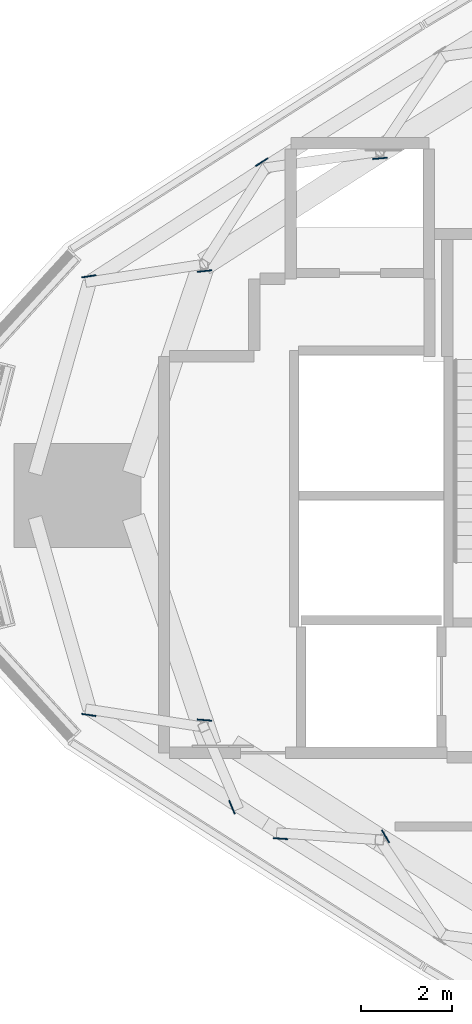
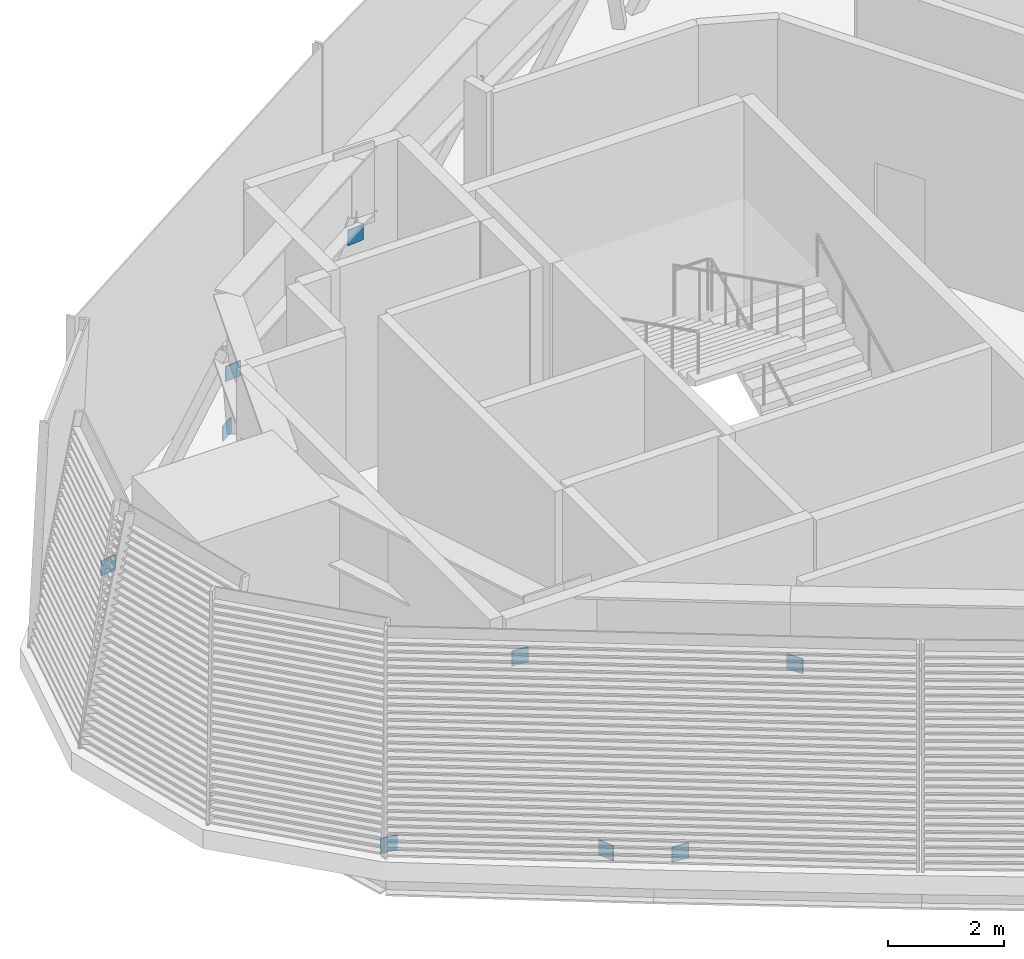
# One storey, part 8 of 18: 9 plates.
"""IFC4 building model written with IfcOpenShell, lengths in metres."""

import ifcopenshell
import ifcopenshell.guid

model = None  # the IFC model being written
_history = None  # IfcOwnerHistory: only IFC2X3 demands one
_inside = {}  # id of a spatial element -> (the spatial element, [elements in it])
_under = {}  # id of a project, library or spatial element -> (it, [spatial elements below it])
_declared = {}  # id of a project -> (the project, [libraries it declares])
_typed = {}  # id of a type object -> (the type object, [elements of that type])
_made_of = {}  # id of a material, layer set ... -> (it, [elements and type objects made of it])


def new_model(schema):
    """Start an empty IFC model of exactly this schema.

    Asked for "IFC4X3", IfcOpenShell would pick the latest addendum, in which some entities
    have other attributes; the version numbers below select the first issue.
    IFC2X3 requires an IfcOwnerHistory on every rooted entity: one is made here for all.
    """
    global model, _history
    if schema == "IFC4X3":
        model = ifcopenshell.file(schema_version=(4, 3, 0, 0))
    else:
        model = ifcopenshell.file(schema=schema)
    _inside.clear()
    _under.clear()
    _declared.clear()
    _typed.clear()
    _made_of.clear()
    _history = None
    if model.schema == "IFC2X3":
        org = make("IfcOrganization", Name="unknown")
        user = make(
            "IfcPersonAndOrganization",
            ThePerson=make("IfcPerson", FamilyName="unknown"),
            TheOrganization=org,
        )
        app = make(
            "IfcApplication",
            ApplicationDeveloper=org,
            Version="unknown",
            ApplicationFullName="unknown",
            ApplicationIdentifier="unknown",
        )
        _history = make(
            "IfcOwnerHistory",
            OwningUser=user,
            OwningApplication=app,
            ChangeAction="ADDED",
            CreationDate=0,
        )
    return model


def make(cls, **values):
    """One entity of the class cls with the attributes given. An attribute that is None is left unset."""
    return model.create_entity(
        cls, **{name: value for name, value in values.items() if value is not None}
    )


def rooted(cls, **values):
    """An entity with a GlobalId (a new one), such as an element, a storey or a relation."""
    return make(cls, GlobalId=ifcopenshell.guid.new(), OwnerHistory=_history, **values)


def si_unit(unit_type, name, prefix=None):
    """IfcSIUnit, for example si_unit("LENGTHUNIT", "METRE", prefix="MILLI")."""
    return make("IfcSIUnit", UnitType=unit_type, Prefix=prefix, Name=name)


def assignment(units):
    """IfcUnitAssignment: the units of a project."""
    return None if units is None else make("IfcUnitAssignment", Units=units)


def point(xyz):
    """IfcCartesianPoint."""
    return None if xyz is None else make("IfcCartesianPoint", Coordinates=xyz)


def direction(xyz):
    """IfcDirection."""
    return None if xyz is None else make("IfcDirection", DirectionRatios=xyz)


def frame(location, z_axis=None, x_axis=None):
    """IfcAxis2Placement3D, a coordinate frame: its origin and axes. An axis left out is left unset."""
    return make(
        "IfcAxis2Placement3D",
        Location=point(location),
        Axis=direction(z_axis),
        RefDirection=direction(x_axis),
    )


def frame_2d(location, x_axis=None):
    """IfcAxis2Placement2D, a coordinate frame in the plane: its origin and x axis."""
    return make(
        "IfcAxis2Placement2D", Location=point(location), RefDirection=direction(x_axis)
    )


def origin():
    """The frame at (0, 0, 0) with its axes left unset."""
    return frame((0.0, 0.0, 0.0))


def origin_2d():
    """The frame at (0, 0) in the plane with its x axis left unset."""
    return frame_2d((0.0, 0.0))


def place(relative_to, where):
    """IfcLocalPlacement: puts the frame where relative to a parent placement (None: the world)."""
    return make(
        "IfcLocalPlacement", PlacementRelTo=relative_to, RelativePlacement=where
    )


def context(
    kind, dimensions, precision=None, world=None, true_north=None, identifier=None
):
    """IfcGeometricRepresentationContext, for example the 3D "Model" context."""
    return make(
        "IfcGeometricRepresentationContext",
        ContextIdentifier=identifier,
        ContextType=kind,
        CoordinateSpaceDimension=dimensions,
        Precision=precision,
        WorldCoordinateSystem=world,
        TrueNorth=true_north,
    )


def subcontext(parent, identifier, kind, view, scale=None):
    """IfcGeometricRepresentationSubContext, for example "Body" below "Model"."""
    return make(
        "IfcGeometricRepresentationSubContext",
        ContextIdentifier=identifier,
        ContextType=kind,
        ParentContext=parent,
        TargetScale=scale,
        TargetView=view,
    )


def project(units=None, contexts=None):
    """IfcProject with its units and contexts."""
    return rooted(
        "IfcProject",
        Name="project",
        RepresentationContexts=contexts,
        UnitsInContext=assignment(units),
    )


def spatial(cls, under=None, at=None, **own):
    """A site, building, storey or space (cls), placed at a placement, below another one or the project."""
    s = rooted(cls, ObjectPlacement=at, **own)
    if under is not None:
        _under.setdefault(under.id(), (under, []))[1].append(s)
    return s


def profile(cls, at=None, kind="AREA", **sizes):
    """A parametric profile (cls). Its sizes go by their IFC names, for example OverallWidth=200.0."""
    return make(cls, ProfileType=kind, Position=at, **sizes)


def rectangle(**sizes):
    """IfcRectangleProfileDef."""
    return profile("IfcRectangleProfileDef", **sizes)


def extrude(swept, where, along, depth):
    """IfcExtrudedAreaSolid: the profile swept, set in the frame where, extruded along a direction by depth."""
    return make(
        "IfcExtrudedAreaSolid",
        SweptArea=swept,
        Position=where,
        ExtrudedDirection=direction(along),
        Depth=depth,
    )


def shape(context_of_items, identifier, shape_type, items):
    """IfcShapeRepresentation: the items that make up one representation, for example the "Body"."""
    return make(
        "IfcShapeRepresentation",
        ContextOfItems=context_of_items,
        RepresentationIdentifier=identifier,
        RepresentationType=shape_type,
        Items=items,
    )


def material(Name=None, Category=None):
    """IfcMaterial."""
    return make("IfcMaterial", Name=Name, Category=Category)


def layer(
    of_material, thickness, ventilated=None, Name=None, Category=None, Priority=None
):
    """IfcMaterialLayer: one layer of a wall or slab, of a material (None: an air gap)."""
    return make(
        "IfcMaterialLayer",
        Material=of_material,
        LayerThickness=thickness,
        IsVentilated=ventilated,
        Name=Name,
        Category=Category,
        Priority=Priority,
    )


def layer_set(layers, Name=None):
    """IfcMaterialLayerSet."""
    return make("IfcMaterialLayerSet", MaterialLayers=layers, LayerSetName=Name)


def made_of(thing, what):
    """Note that an element or type object is made of a material, layer set ...; save() writes the relation."""
    if what is not None:
        _made_of.setdefault(what.id(), (what, []))[1].append(thing)
    return thing


def type_object(cls, material=None, **own):
    """A type object (cls), such as IfcWallType, which elements share."""
    return made_of(rooted(cls, **own), material)


def element(
    cls,
    number,
    at=None,
    inside=None,
    cuts=None,
    type_object=None,
    material=None,
    context=None,
    identifier="Body",
    shape_type=None,
    held_by="IfcProductDefinitionShape",
    body=None,
    shapes=None,
    **own,
):
    """One element of the class cls, such as IfcWall. Its Tag is "e" and its number.

    at: its placement. inside: the storey or other place that contains it. cuts: it is an
    opening in that element (IfcRelVoidsElement). A single representation is given by context,
    identifier, shape_type and body (its items); several are given by shapes. held_by: the class
    of the entity that holds the representations. save() writes the other relations.
    """
    e = rooted(cls, Tag="e%d" % number, ObjectPlacement=at, **own)
    if body is not None:
        shapes = [shape(context, identifier, shape_type, body)]
    if shapes is not None:
        e.Representation = make(held_by, Representations=shapes)
    if inside is not None:
        _inside.setdefault(inside.id(), (inside, []))[1].append(e)
    if cuts is not None:
        rooted(
            "IfcRelVoidsElement", RelatingBuildingElement=cuts, RelatedOpeningElement=e
        )
    if type_object is not None:
        _typed.setdefault(type_object.id(), (type_object, []))[1].append(e)
    return made_of(e, material)


def aggregate(whole, parts):
    """IfcRelAggregates: a whole, such as a stair, and the parts it consists of."""
    return rooted("IfcRelAggregates", RelatingObject=whole, RelatedObjects=parts)


def save(model, path):
    """Write the relations noted so far, then the file.

    IfcRelAggregates (storeys below a building ...), IfcRelContainedInSpatialStructure (elements
    in a storey), IfcRelDefinesByType, IfcRelAssociatesMaterial and IfcRelDeclares: one each for
    every whole, place, type object, material and project.
    """
    for whole, parts in _under.values():
        aggregate(whole, parts)
    for where, things in _inside.values():
        rooted(
            "IfcRelContainedInSpatialStructure",
            RelatedElements=things,
            RelatingStructure=where,
        )
    for kind, things in _typed.values():
        rooted("IfcRelDefinesByType", RelatedObjects=things, RelatingType=kind)
    for what, things in _made_of.values():
        rooted("IfcRelAssociatesMaterial", RelatedObjects=things, RelatingMaterial=what)
    for by, libraries in _declared.values():
        rooted("IfcRelDeclares", RelatingContext=by, RelatedDefinitions=libraries)
    model.write(path)


model = new_model("IFC4")

# Units and contexts
model_context = context("Model", 3, precision=1e-05, world=origin(), true_north=direction((0.0, 1.0)))
body_context = subcontext(model_context, "Body", "Model", "MODEL_VIEW")
ifc_project = project(units=[si_unit("LENGTHUNIT", "METRE"), si_unit("AREAUNIT", "SQUARE_METRE"), si_unit("VOLUMEUNIT", "CUBIC_METRE"), si_unit("PLANEANGLEUNIT", "RADIAN"), si_unit("MASSUNIT", "GRAM", prefix="KILO")], contexts=[model_context])

# Site, building, storey
site_placement = place(None, origin())
site = spatial("IfcSite", under=ifc_project, at=site_placement, CompositionType="ELEMENT")
building_placement = place(site_placement, origin())
building = spatial("IfcBuilding", under=site, at=building_placement, Name="Tamra Quay Hotel Tower", CompositionType="ELEMENT")
storey_placement = place(building_placement, frame((0.0, 0.0, 257.39990234375)))
storey = spatial("IfcBuildingStorey", under=building, at=storey_placement, Name="L65", CompositionType="ELEMENT", Elevation=257.39990234375)

# Plates
ifc_material = material(Name="Structural steel IS 2062 E350", Category="steel")
ifc_layer = layer(ifc_material, 0.02490234375)
ifc_layer_set = layer_set([ifc_layer], Name="BRACE END PLATE 25")
plate_type = type_object("IfcPlateType", Name="BRACE END PLATE 25", PredefinedType="SHEET", material=ifc_layer_set)
for number, where, z_axis, x_axis, name in (
    (1, (-20.27587890625, 7.361328125, -0.39990234375), (0.0, 0.0, 1.0), (-0.540864374984, 0.841109819151, 0.0), "BEP-L65-015"),
    (2, (-24.094970703125, 4.8408203125, -0.39990234375), (0.0, 0.0, 1.0), (-0.15216996146, 0.988354340725, 0.0), "BEP-L65-016"),
    (3, (-24.094970703125, -4.8408203125, -0.39990234375), (0.0, 0.0, 1.0), (0.15216996146, 0.988354340725, 0.0), "BEP-L65-017"),
    (4, (-20.936767578125, -6.87548828125, -0.39990234375), (0.0, 0.0, 1.0), (0.9196173152, 0.392815470143, 0.0), "BEP-L65-029"),
    (5, (-19.8642578125, -7.570068359375, -0.39990234375), (0.0, 0.0, 1.0), (0.067541652804, 0.99771645528, 0.0), "BEP-L65-030"),
    (6, (-17.667724609375, 7.44384765625, 2.72998046875), (0.0, 0.0, 1.0), (-0.090213678965, 0.995922432787, 0.0), "BEP-L65-045"),
    (7, (-21.54296875, 4.95654296875, 2.72998046875), (0.0, 0.0, 1.0), (-0.10531473349, 0.994438940765, 0.0), "BEP-L65-046"),
    (8, (-21.5458984375, -4.9541015625, 2.72998046875), (0.0, 0.0, 1.0), (0.083876111402, 0.996476190351, 0.0), "BEP-L65-047"),
    (9, (-17.54833984375, -7.518310546875, 2.72998046875), (0.0, 0.0, 1.0), (0.866363799061, 0.499413423605, 0.0), "BEP-L65-048"),
):
    element("IfcPlate", number, at=place(storey_placement, frame(where, z_axis=z_axis, x_axis=x_axis)), inside=storey, type_object=plate_type, Name=name, PredefinedType="SHEET", context=body_context, shape_type="SweptSolid", body=[
        extrude(rectangle(XDim=0.02490234375, YDim=0.320068359375, at=origin_2d()), origin(), (0.0, 0.0, 1.0), 0.320068359375),
    ])

save(model, "model.ifc")
